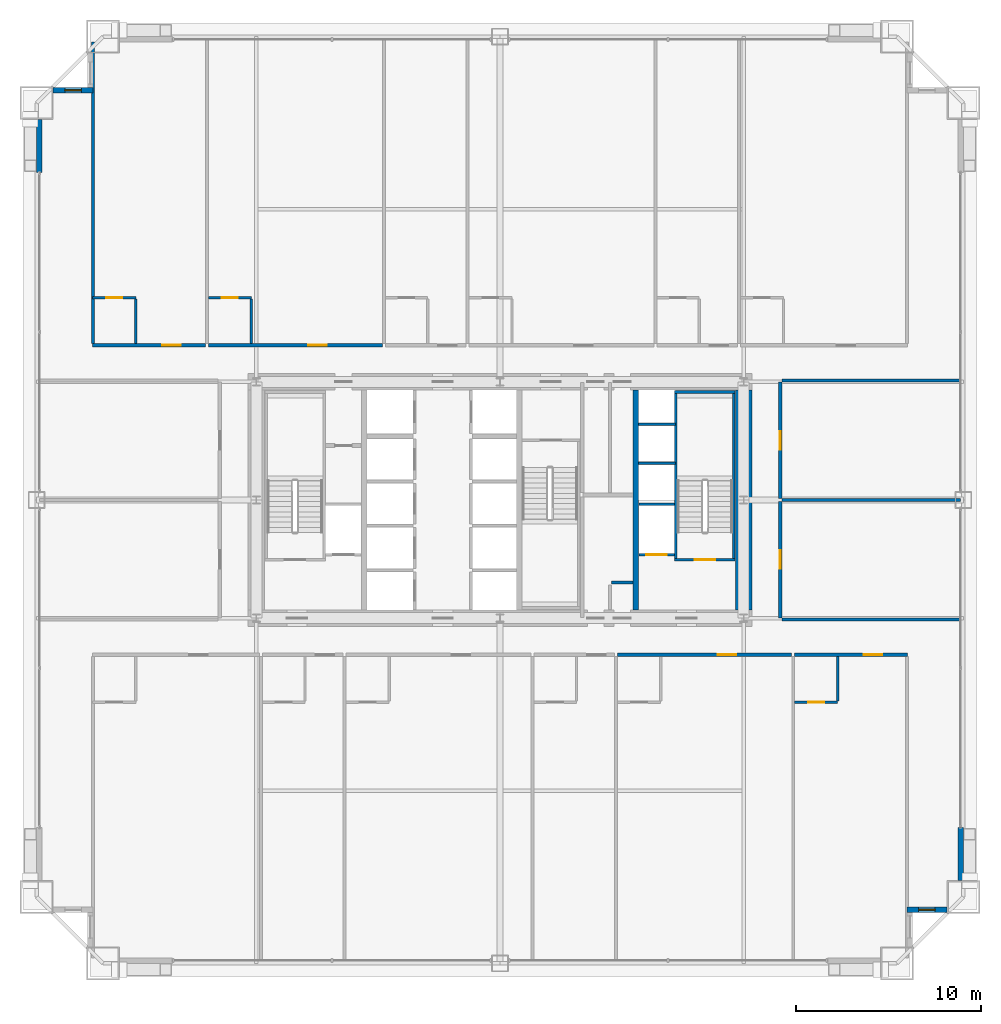
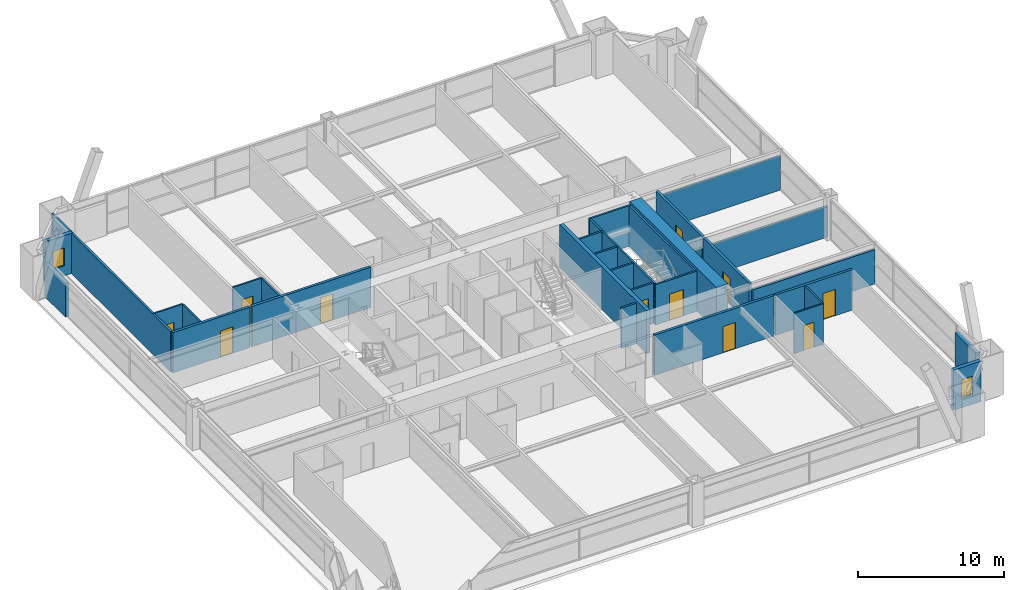
# One storey, part 41 of 43: 31 walls, 11 doors, 2 windows, 13 openings.
"""IFC4 building model written with IfcOpenShell, lengths in metres."""

from ifc_helpers import new_model, si_unit, direction, frame, frame_2d, origin, place, context, subcontext, project, spatial, rectangle, extrude, source, transform, mapped, material, layer, layer_set, type_object, element, fill, save


model = new_model("IFC4")

# Units and contexts
model_context = context("Model", 3, precision=1e-05, world=origin(), true_north=direction((0.0, 1.0)))
body_context = subcontext(model_context, "Body", "Model", "MODEL_VIEW")
ifc_project = project(units=[si_unit("LENGTHUNIT", "METRE"), si_unit("AREAUNIT", "SQUARE_METRE"), si_unit("VOLUMEUNIT", "CUBIC_METRE"), si_unit("PLANEANGLEUNIT", "RADIAN"), si_unit("MASSUNIT", "GRAM", prefix="KILO"), si_unit("THERMODYNAMICTEMPERATUREUNIT", "KELVIN"), si_unit("POWERUNIT", "WATT")], contexts=[model_context])

# Site, building, storey
site_placement = place(None, origin())
site = spatial("IfcSite", under=ifc_project, at=site_placement, CompositionType="ELEMENT")
building_placement = place(site_placement, origin())
building = spatial("IfcBuilding", under=site, at=building_placement, Name="Yuzanri Waterfront Tower", CompositionType="ELEMENT")
storey_placement = place(building_placement, frame((0.0, 0.0, 67.60009765625)))
storey = spatial("IfcBuildingStorey", under=building, at=storey_placement, Name="L17", CompositionType="ELEMENT", Elevation=67.60009765625)

# Wall, opening, door
ifc_material_1 = material(Name="Moisture-Resistant Gypsum Stud Wall", Category="gypsum")
ifc_layer_1 = layer(ifc_material_1, 0.1201171875)
ifc_layer_set_1 = layer_set([ifc_layer_1], Name="Moisture-Resistant Gypsum Stud Wall")
wall_type_1 = type_object("IfcWallType", Name="Bathroom and Kitchen Wet Partition 120", PredefinedType="PARTITIONING", material=ifc_layer_set_1)
wall_1_placement = place(storey_placement, frame((52.962890625, 14.840087890625, 0.0), z_axis=(0.0, 0.0, 1.0), x_axis=(1.0, 0.0, 0.0)))
wall_1 = element("IfcWall", 1, at=wall_1_placement, inside=storey, type_object=wall_type_1, Name="L17 Partition UW-L17-S6-BS", PredefinedType="PARTITIONING", context=body_context, shape_type="SweptSolid", body=[
    extrude(rectangle(XDim=2.330078125, YDim=0.1201171875, at=frame_2d((1.1650390625, 0.0))), origin(), (0.0, 0.0, 1.0), 3.3798828125),
])
opening_1_placement = place(wall_1_placement, frame((0.739990234375, 0.0, 0.0)))
opening_1 = element("IfcOpeningElement", 2, at=opening_1_placement, cuts=wall_1, Name="Opening ID-0850", PredefinedType="OPENING", context=body_context, shape_type="SweptSolid", body=[
    extrude(rectangle(XDim=0.85009765625, YDim=2.10009765625, at=frame_2d((0.425048828125, 1.050048828125))), frame((0.0, 0.074951171875, 0.0), z_axis=(0.0, -1.0, 0.0), x_axis=(1.0, 0.0, 0.0)), (0.0, 0.0, 1.0), 0.14990234375),
])
ifc_material_2 = material(Name="Moisture-Resistant Lacquered Timber", Category="wood")
door_type_1 = type_object("IfcDoorType", Name="En-Suite Bathroom and Kitchen Swing Door 850x2100", OperationType="NOTDEFINED", PredefinedType="DOOR", material=ifc_material_2)
shared_shape_1 = source(origin(), body_context, "Body", "SweptSolid", [
    extrude(rectangle(XDim=0.85009765625, YDim=2.10009765625, at=frame_2d((0.425048828125, 1.050048828125))), frame((0.0, 0.02490234375, 0.0), z_axis=(0.0, -1.0, 0.0), x_axis=(1.0, 0.0, 0.0)), (0.0, 0.0, 1.0), 0.050048828125),
])
door_1_placement = place(opening_1_placement, origin())
door_1 = element("IfcDoor", 3, at=door_1_placement, inside=storey, type_object=door_type_1, Name="L17 Guest En-Suite Door", OperationType="SINGLE_SWING_LEFT", OverallHeight=2.10009765625, OverallWidth=0.85009765625, PredefinedType="DOOR", context=body_context, shape_type="MappedRepresentation", body=[
    mapped(shared_shape_1, transform((0.0, 0.0, 0.0), scale=1.0)),
])
fill(opening_1, door_1)

wall_2_placement = place(storey_placement, frame((14.93994140625, 36.760009765625, 0.0), z_axis=(0.0, 0.0, 1.0), x_axis=(1.0, 0.0, 0.0)))
wall_2 = element("IfcWall", 4, at=wall_2_placement, inside=storey, type_object=wall_type_1, Name="L17 Partition UW-L17-N1-BN", PredefinedType="PARTITIONING", context=body_context, shape_type="SweptSolid", body=[
    extrude(rectangle(XDim=2.330078125, YDim=0.1201171875, at=frame_2d((1.1650390625, 0.0))), origin(), (0.0, 0.0, 1.0), 3.3798828125),
])
opening_2_placement = place(wall_2_placement, frame((0.739990234375, 0.0, 0.0)))
opening_2 = element("IfcOpeningElement", 5, at=opening_2_placement, cuts=wall_2, Name="Opening ID-0850", PredefinedType="OPENING", context=body_context, shape_type="SweptSolid", body=[
    extrude(rectangle(XDim=0.85009765625, YDim=2.10009765625, at=frame_2d((0.425048828125, 1.050048828125))), frame((0.0, 0.074951171875, 0.0), z_axis=(0.0, -1.0, 0.0), x_axis=(1.0, 0.0, 0.0)), (0.0, 0.0, 1.0), 0.14990234375),
])
door_2_placement = place(opening_2_placement, origin())
door_2 = element("IfcDoor", 6, at=door_2_placement, inside=storey, type_object=door_type_1, Name="L17 Guest En-Suite Door", OperationType="SINGLE_SWING_LEFT", OverallHeight=2.10009765625, OverallWidth=0.85009765625, PredefinedType="DOOR", context=body_context, shape_type="MappedRepresentation", body=[
    mapped(shared_shape_1, transform((0.0, 0.0, 0.0), scale=1.0)),
])
fill(opening_2, door_2)

wall_3_placement = place(storey_placement, frame((21.197021484375, 36.760009765625, 0.0), z_axis=(0.0, 0.0, 1.0), x_axis=(1.0, 0.0, 0.0)))
wall_3 = element("IfcWall", 7, at=wall_3_placement, inside=storey, type_object=wall_type_1, Name="L17 Partition UW-L17-N2-BN", PredefinedType="PARTITIONING", context=body_context, shape_type="SweptSolid", body=[
    extrude(rectangle(XDim=2.330078125, YDim=0.1201171875, at=frame_2d((1.1650390625, 0.0))), origin(), (0.0, 0.0, 1.0), 3.3798828125),
])
opening_3_placement = place(wall_3_placement, frame((0.739990234375, 0.0, 0.0)))
opening_3 = element("IfcOpeningElement", 8, at=opening_3_placement, cuts=wall_3, Name="Opening ID-0850", PredefinedType="OPENING", context=body_context, shape_type="SweptSolid", body=[
    extrude(rectangle(XDim=0.85009765625, YDim=2.10009765625, at=frame_2d((0.425048828125, 1.050048828125))), frame((0.0, 0.074951171875, 0.0), z_axis=(0.0, -1.0, 0.0), x_axis=(1.0, 0.0, 0.0)), (0.0, 0.0, 1.0), 0.14990234375),
])
door_3_placement = place(opening_3_placement, origin())
door_3 = element("IfcDoor", 9, at=door_3_placement, inside=storey, type_object=door_type_1, Name="L17 Guest En-Suite Door", OperationType="SINGLE_SWING_LEFT", OverallHeight=2.10009765625, OverallWidth=0.85009765625, PredefinedType="DOOR", context=body_context, shape_type="MappedRepresentation", body=[
    mapped(shared_shape_1, transform((0.0, 0.0, 0.0), scale=1.0)),
])
fill(opening_3, door_3)

# Wall, opening, window
ifc_material_3 = material(Name="Honed Chongqing Dark Basalt Stone", Category="masonry")
ifc_layer_2 = layer(ifc_material_3, 0.300048828125)
ifc_layer_set_2 = layer_set([ifc_layer_2], Name="Honed Chongqing Dark Basalt Stone")
wall_type_2 = type_object("IfcWallType", Name="Bronze Rainscreen Insulated Spandrel Portal Wall 300", PredefinedType="SOLIDWALL", material=ifc_layer_set_2)
wall_4_placement = place(storey_placement, frame((59.050048828125, 3.60009765625, 0.0), z_axis=(0.0, 0.0, 1.0), x_axis=(1.0, 0.0, 0.0)))
wall_4 = element("IfcWall", 10, at=wall_4_placement, inside=storey, type_object=wall_type_2, Name="L17 Notched Corner Masonry Wall SE-X", PredefinedType="SOLIDWALL", context=body_context, shape_type="SweptSolid", body=[
    extrude(rectangle(XDim=2.14990234375, YDim=0.300048828125, at=frame_2d((1.074951171875, 0.0))), origin(), (0.0, 0.0, 1.0), 3.3798828125),
])
opening_4_placement = place(wall_4_placement, frame((0.625, 0.0, 0.85009765625)))
opening_4 = element("IfcOpeningElement", 11, at=opening_4_placement, cuts=wall_4, Name="Opening WN-05", PredefinedType="OPENING", context=body_context, shape_type="SweptSolid", body=[
    extrude(rectangle(XDim=0.89990234375, YDim=1.5, at=frame_2d((0.449951171875, 0.75))), frame((0.0, 0.1650390625, 0.0), z_axis=(0.0, -1.0, 0.0), x_axis=(1.0, 0.0, 0.0)), (0.0, 0.0, 1.0), 0.329833984375),
])
ifc_material_4 = material(Name="Double-Silver Low-E Insulated Glass", Category="glass")
window_type = type_object("IfcWindowType", Name="Anodized Bronze Service and Stairwell Smoke-Vent Window 900x1500", PartitioningType="SINGLE_PANEL", PredefinedType="WINDOW", material=ifc_material_4)
shared_shape_2 = source(origin(), body_context, "Body", "SweptSolid", [
    extrude(rectangle(XDim=0.89990234375, YDim=1.5, at=frame_2d((0.449951171875, 0.75))), frame((0.0, 0.030029296875, 0.0), z_axis=(0.0, -1.0, 0.0), x_axis=(1.0, 0.0, 0.0)), (0.0, 0.0, 1.0), 0.06005859375),
])
window_1_placement = place(opening_4_placement, origin())
window_1 = element("IfcWindow", 12, at=window_1_placement, inside=storey, type_object=window_type, Name="L17 Notched Corner Window SE-X", OverallHeight=1.5, OverallWidth=0.89990234375, PartitioningType="SINGLE_PANEL", PredefinedType="WINDOW", context=body_context, shape_type="MappedRepresentation", body=[
    mapped(shared_shape_2, transform((0.0, 0.0, 0.0), scale=1.0)),
])
fill(opening_4, window_1)

wall_5_placement = place(storey_placement, frame((14.949951171875, 48.0, 0.0), z_axis=(0.0, 0.0, 1.0), x_axis=(-1.0, 0.0, 0.0)))
wall_5 = element("IfcWall", 13, at=wall_5_placement, inside=storey, type_object=wall_type_2, Name="L17 Notched Corner Masonry Wall NW-X", PredefinedType="SOLIDWALL", context=body_context, shape_type="SweptSolid", body=[
    extrude(rectangle(XDim=2.14990234375, YDim=0.300048828125, at=frame_2d((1.074951171875, 0.0))), origin(), (0.0, 0.0, 1.0), 3.3798828125),
])
opening_5_placement = place(wall_5_placement, frame((0.625, 0.0, 0.85009765625)))
opening_5 = element("IfcOpeningElement", 14, at=opening_5_placement, cuts=wall_5, Name="Opening WN-05", PredefinedType="OPENING", context=body_context, shape_type="SweptSolid", body=[
    extrude(rectangle(XDim=0.89990234375, YDim=1.5, at=frame_2d((0.449951171875, 0.75))), frame((0.0, 0.1650390625, 0.0), z_axis=(0.0, -1.0, 0.0), x_axis=(1.0, 0.0, 0.0)), (0.0, 0.0, 1.0), 0.329833984375),
])
window_2_placement = place(opening_5_placement, origin())
window_2 = element("IfcWindow", 15, at=window_2_placement, inside=storey, type_object=window_type, Name="L17 Notched Corner Window NW-X", OverallHeight=1.5, OverallWidth=0.89990234375, PartitioningType="SINGLE_PANEL", PredefinedType="WINDOW", context=body_context, shape_type="MappedRepresentation", body=[
    mapped(shared_shape_2, transform((0.0, 0.0, 0.0), scale=1.0)),
])
fill(opening_5, window_2)

# Wall, opening, door
ifc_material_5 = material(Name="Concrete C40", Category="concrete")
ifc_layer_3 = layer(ifc_material_5, 0.139892578125)
ifc_layer_set_3 = layer_set([ifc_layer_3], Name="Concrete C40")
wall_type_3 = type_object("IfcWallType", Name="Core Stair Liner and Hoistway Shaft Wall 140", PredefinedType="SOLIDWALL", material=ifc_layer_set_3)
wall_6_placement = place(storey_placement, frame((44.52001953125, 22.830078125, 0.0), z_axis=(0.0, 0.0, 1.0), x_axis=(1.0, 0.0, 0.0)))
wall_6 = element("IfcWall", 16, at=wall_6_placement, inside=storey, type_object=wall_type_3, Name="L17 Lift FL-02 Front Shaft Wall", PredefinedType="SOLIDWALL", context=body_context, shape_type="SweptSolid", body=[
    extrude(rectangle(XDim=1.919921875, YDim=0.139892578125, at=frame_2d((0.9599609375, 0.0))), origin(), (0.0, 0.0, 1.0), 3.3798828125),
])
opening_6_placement = place(wall_6_placement, frame((0.409912109375, 0.0, 0.0)))
opening_6 = element("IfcOpeningElement", 17, at=opening_6_placement, cuts=wall_6, Name="Opening LD-FL-02", PredefinedType="OPENING", context=body_context, shape_type="SweptSolid", body=[
    extrude(rectangle(XDim=1.10009765625, YDim=2.199951171875, at=frame_2d((0.550048828125, 1.10009765625))), frame((0.0, 0.0849609375, 0.0), z_axis=(0.0, -1.0, 0.0), x_axis=(1.0, 0.0, 0.0)), (0.0, 0.0, 1.0), 0.169677734375),
])
ifc_material_6 = material(Name="Brushed Bronze and Stainless Steel Cab", Category="steel")
door_type_2 = type_object("IfcDoorType", Name="Center-Parting Bronze Lift Landing Sliding Door 1100x2200", OperationType="NOTDEFINED", PredefinedType="DOOR", material=ifc_material_6)
shared_shape_3 = source(origin(), body_context, "Body", "SweptSolid", [
    extrude(rectangle(XDim=1.10009765625, YDim=2.199951171875, at=frame_2d((0.550048828125, 1.10009765625))), frame((0.0, 0.02490234375, 0.0), z_axis=(0.0, -1.0, 0.0), x_axis=(1.0, 0.0, 0.0)), (0.0, 0.0, 1.0), 0.050048828125),
])
door_4_placement = place(opening_6_placement, origin())
door_4 = element("IfcDoor", 18, at=door_4_placement, inside=storey, type_object=door_type_2, Name="L17 FL-02 Lift Landing Sliding Door", OperationType="SLIDING_TO_RIGHT", OverallHeight=2.199951171875, OverallWidth=1.10009765625, PredefinedType="DOOR", context=body_context, shape_type="MappedRepresentation", body=[
    mapped(shared_shape_3, transform((0.0, 0.0, 0.0), scale=1.0)),
])
fill(opening_6, door_4)

wall_7_placement = place(storey_placement, frame((46.4599609375, 22.570068359375, 0.0), z_axis=(0.0, 0.0, 1.0), x_axis=(1.0, 0.0, 0.0)))
wall_7 = element("IfcWall", 19, at=wall_7_placement, inside=storey, type_object=wall_type_3, Name="L17 Shaft Wall STW-L17-ST-02-S", PredefinedType="SOLIDWALL", context=body_context, shape_type="SweptSolid", body=[
    extrude(rectangle(XDim=3.280029296875, YDim=0.139892578125, at=frame_2d((1.64013671875, 0.0))), origin(), (0.0, 0.0, 1.0), 3.3798828125),
])
opening_7_placement = place(wall_7_placement, frame((1.090087890625, 0.0, 0.0)))
opening_7 = element("IfcOpeningElement", 20, at=opening_7_placement, cuts=wall_7, Name="Opening FD-1100", PredefinedType="OPENING", context=body_context, shape_type="SweptSolid", body=[
    extrude(rectangle(XDim=1.10009765625, YDim=2.199951171875, at=frame_2d((0.550048828125, 1.10009765625))), frame((0.0, 0.0849609375, 0.0), z_axis=(0.0, -1.0, 0.0), x_axis=(1.0, 0.0, 0.0)), (0.0, 0.0, 1.0), 0.169677734375),
])
ifc_material_7 = material(Name="Painted Galvanized Fire Steel", Category="steel")
door_type_3 = type_object("IfcDoorType", Name="Smoke-Proof Stair and Lobby Fire Door 1100x2200", OperationType="NOTDEFINED", PredefinedType="DOOR", material=ifc_material_7)
shared_shape_4 = source(origin(), body_context, "Body", "SweptSolid", [
    extrude(rectangle(XDim=1.10009765625, YDim=2.199951171875, at=frame_2d((0.550048828125, 1.10009765625))), frame((0.0, 0.02490234375, 0.0), z_axis=(0.0, -1.0, 0.0), x_axis=(1.0, 0.0, 0.0)), (0.0, 0.0, 1.0), 0.050048828125),
])
door_5_placement = place(opening_7_placement, origin())
door_5 = element("IfcDoor", 21, at=door_5_placement, inside=storey, type_object=door_type_3, Name="L17 Stair ST-02 Fire Door", OperationType="SINGLE_SWING_LEFT", OverallHeight=2.199951171875, OverallWidth=1.10009765625, PredefinedType="DOOR", context=body_context, shape_type="MappedRepresentation", body=[
    mapped(shared_shape_4, transform((0.0, 0.0, 0.0), scale=1.0)),
])
fill(opening_7, door_5)

ifc_material_8 = material(Name="Autoclaved Aerated Concrete Blockwork", Category="masonry")
ifc_layer_4 = layer(ifc_material_8, 0.199951171875)
ifc_layer_set_4 = layer_set([ifc_layer_4], Name="Autoclaved Aerated Concrete Blockwork")
wall_type_4 = type_object("IfcWallType", Name="Corridor and Unit Party Fire Wall 200", PredefinedType="PARTITIONING", material=ifc_layer_set_4)
wall_8_placement = place(storey_placement, frame((43.3740234375, 17.419921875, 0.0), z_axis=(0.0, 0.0, 1.0), x_axis=(1.0, 0.0, 0.0)))
wall_8 = element("IfcWall", 22, at=wall_8_placement, inside=storey, type_object=wall_type_4, Name="L17 Partition UW-L17-S5-CN", PredefinedType="PARTITIONING", context=body_context, shape_type="SweptSolid", body=[
    extrude(rectangle(XDim=9.428955078125, YDim=0.199951171875, at=frame_2d((4.71435546875, 0.0))), origin(), (0.0, 0.0, 1.0), 3.3798828125),
])
opening_8_placement = place(wall_8_placement, frame((5.4189453125, 0.0, 0.0)))
opening_8 = element("IfcOpeningElement", 23, at=opening_8_placement, cuts=wall_8, Name="Opening FD-1000", PredefinedType="OPENING", context=body_context, shape_type="SweptSolid", body=[
    extrude(rectangle(XDim=1.0, YDim=2.199951171875, at=frame_2d((0.5, 1.10009765625))), frame((0.0, 0.11474609375, 0.0), z_axis=(0.0, -1.0, 0.0), x_axis=(1.0, 0.0, 0.0)), (0.0, 0.0, 1.0), 0.229736328125),
])
ifc_material_9 = material(Name="Engineered Oak Fire-Rated Timber", Category="wood")
door_type_4 = type_object("IfcDoorType", Name="Guestroom and Apartment Entrance Fire Door 1000x2200", OperationType="NOTDEFINED", PredefinedType="DOOR", material=ifc_material_9)
shared_shape_5 = source(origin(), body_context, "Body", "SweptSolid", [
    extrude(rectangle(XDim=1.0, YDim=2.199951171875, at=frame_2d((0.5, 1.10009765625))), frame((0.0, 0.02490234375, 0.0), z_axis=(0.0, -1.0, 0.0), x_axis=(1.0, 0.0, 0.0)), (0.0, 0.0, 1.0), 0.050048828125),
])
door_6_placement = place(opening_8_placement, origin())
door_6 = element("IfcDoor", 24, at=door_6_placement, inside=storey, type_object=door_type_4, Name="L17 Junior Riverview Suite Entrance Door", OperationType="SINGLE_SWING_RIGHT", OverallHeight=2.199951171875, OverallWidth=1.0, PredefinedType="DOOR", context=body_context, shape_type="MappedRepresentation", body=[
    mapped(shared_shape_5, transform((0.0, 0.0, 0.0), scale=1.0)),
])
fill(opening_8, door_6)

wall_9_placement = place(storey_placement, frame((52.962890625, 17.419921875, 0.0), z_axis=(0.0, 0.0, 1.0), x_axis=(1.0, 0.0, 0.0)))
wall_9 = element("IfcWall", 25, at=wall_9_placement, inside=storey, type_object=wall_type_4, Name="L17 Partition UW-L17-S6-CN", PredefinedType="PARTITIONING", context=body_context, shape_type="SweptSolid", body=[
    extrude(rectangle(XDim=6.09716796875, YDim=0.199951171875, at=frame_2d((3.048583984375, 0.0))), origin(), (0.0, 0.0, 1.0), 3.3798828125),
])
opening_9_placement = place(wall_9_placement, frame((3.7529296875, 0.0, 0.0)))
opening_9 = element("IfcOpeningElement", 26, at=opening_9_placement, cuts=wall_9, Name="Opening FD-1000", PredefinedType="OPENING", context=body_context, shape_type="SweptSolid", body=[
    extrude(rectangle(XDim=1.0, YDim=2.199951171875, at=frame_2d((0.5, 1.10009765625))), frame((0.0, 0.11474609375, 0.0), z_axis=(0.0, -1.0, 0.0), x_axis=(1.0, 0.0, 0.0)), (0.0, 0.0, 1.0), 0.229736328125),
])
door_7_placement = place(opening_9_placement, origin())
door_7 = element("IfcDoor", 27, at=door_7_placement, inside=storey, type_object=door_type_4, Name="L17 Junior Riverview Suite Entrance Door", OperationType="SINGLE_SWING_RIGHT", OverallHeight=2.199951171875, OverallWidth=1.0, PredefinedType="DOOR", context=body_context, shape_type="MappedRepresentation", body=[
    mapped(shared_shape_5, transform((0.0, 0.0, 0.0), scale=1.0)),
])
fill(opening_9, door_7)

wall_10_placement = place(storey_placement, frame((14.93994140625, 34.179931640625, 0.0), z_axis=(0.0, 0.0, 1.0), x_axis=(1.0, 0.0, 0.0)))
wall_10 = element("IfcWall", 28, at=wall_10_placement, inside=storey, type_object=wall_type_4, Name="L17 Partition UW-L17-N1-CS", PredefinedType="PARTITIONING", context=body_context, shape_type="SweptSolid", body=[
    extrude(rectangle(XDim=6.09716796875, YDim=0.199951171875, at=frame_2d((3.048583984375, 0.0))), origin(), (0.0, 0.0, 1.0), 3.3798828125),
])
opening_10_placement = place(wall_10_placement, frame((3.75390625, 0.0, 0.0)))
opening_10 = element("IfcOpeningElement", 29, at=opening_10_placement, cuts=wall_10, Name="Opening FD-1000", PredefinedType="OPENING", context=body_context, shape_type="SweptSolid", body=[
    extrude(rectangle(XDim=1.0, YDim=2.199951171875, at=frame_2d((0.5, 1.10009765625))), frame((0.0, 0.11474609375, 0.0), z_axis=(0.0, -1.0, 0.0), x_axis=(1.0, 0.0, 0.0)), (0.0, 0.0, 1.0), 0.229736328125),
])
door_8_placement = place(opening_10_placement, origin())
door_8 = element("IfcDoor", 30, at=door_8_placement, inside=storey, type_object=door_type_4, Name="L17 Superior Cityview Junior Suite Entrance Door", OperationType="SINGLE_SWING_RIGHT", OverallHeight=2.199951171875, OverallWidth=1.0, PredefinedType="DOOR", context=body_context, shape_type="MappedRepresentation", body=[
    mapped(shared_shape_5, transform((0.0, 0.0, 0.0), scale=1.0)),
])
fill(opening_10, door_8)

wall_11_placement = place(storey_placement, frame((21.197021484375, 34.179931640625, 0.0), z_axis=(0.0, 0.0, 1.0), x_axis=(1.0, 0.0, 0.0)))
wall_11 = element("IfcWall", 31, at=wall_11_placement, inside=storey, type_object=wall_type_4, Name="L17 Partition UW-L17-N2-CS", PredefinedType="PARTITIONING", context=body_context, shape_type="SweptSolid", body=[
    extrude(rectangle(XDim=9.428955078125, YDim=0.199951171875, at=frame_2d((4.71435546875, 0.0))), origin(), (0.0, 0.0, 1.0), 3.3798828125),
])
opening_11_placement = place(wall_11_placement, frame((5.419921875, 0.0, 0.0)))
opening_11 = element("IfcOpeningElement", 32, at=opening_11_placement, cuts=wall_11, Name="Opening FD-1000", PredefinedType="OPENING", context=body_context, shape_type="SweptSolid", body=[
    extrude(rectangle(XDim=1.0, YDim=2.199951171875, at=frame_2d((0.5, 1.10009765625))), frame((0.0, 0.11474609375, 0.0), z_axis=(0.0, -1.0, 0.0), x_axis=(1.0, 0.0, 0.0)), (0.0, 0.0, 1.0), 0.229736328125),
])
door_9_placement = place(opening_11_placement, origin())
door_9 = element("IfcDoor", 33, at=door_9_placement, inside=storey, type_object=door_type_4, Name="L17 Superior Cityview Junior Suite Entrance Door", OperationType="SINGLE_SWING_RIGHT", OverallHeight=2.199951171875, OverallWidth=1.0, PredefinedType="DOOR", context=body_context, shape_type="MappedRepresentation", body=[
    mapped(shared_shape_5, transform((0.0, 0.0, 0.0), scale=1.0)),
])
fill(opening_11, door_9)

wall_12_placement = place(storey_placement, frame((52.179931640625, 19.409912109375, 0.0), z_axis=(0.0, 0.0, 1.0), x_axis=(0.0, 1.0, 0.0)))
wall_12 = element("IfcWall", 34, at=wall_12_placement, inside=storey, type_object=wall_type_4, Name="L17 Partition UW-L17-E1-CW", PredefinedType="PARTITIONING", context=body_context, shape_type="SweptSolid", body=[
    extrude(rectangle(XDim=6.31005859375, YDim=0.199951171875, at=frame_2d((3.155029296875, 0.0))), origin(), (0.0, 0.0, 1.0), 3.3798828125),
])
opening_12_placement = place(wall_12_placement, frame((2.655029296875, 0.0, 0.0)))
opening_12 = element("IfcOpeningElement", 35, at=opening_12_placement, cuts=wall_12, Name="Opening FD-1000", PredefinedType="OPENING", context=body_context, shape_type="SweptSolid", body=[
    extrude(rectangle(XDim=1.0, YDim=2.199951171875, at=frame_2d((0.5, 1.10009765625))), frame((0.0, 0.11474609375, 0.0), z_axis=(0.0, -1.0, 0.0), x_axis=(1.0, 0.0, 0.0)), (0.0, 0.0, 1.0), 0.229736328125),
])
door_10_placement = place(opening_12_placement, origin())
door_10 = element("IfcDoor", 36, at=door_10_placement, inside=storey, type_object=door_type_4, Name="L17 Wellness Gym Studio Entrance Door", OperationType="SINGLE_SWING_RIGHT", OverallHeight=2.199951171875, OverallWidth=1.0, PredefinedType="DOOR", context=body_context, shape_type="MappedRepresentation", body=[
    mapped(shared_shape_5, transform((0.0, 0.0, 0.0), scale=1.0)),
])
fill(opening_12, door_10)

wall_13_placement = place(storey_placement, frame((52.179931640625, 25.8798828125, 0.0), z_axis=(0.0, 0.0, 1.0), x_axis=(0.0, 1.0, 0.0)))
wall_13 = element("IfcWall", 37, at=wall_13_placement, inside=storey, type_object=wall_type_4, Name="L17 Partition UW-L17-E2-CW", PredefinedType="PARTITIONING", context=body_context, shape_type="SweptSolid", body=[
    extrude(rectangle(XDim=6.31005859375, YDim=0.199951171875, at=frame_2d((3.155029296875, 0.0))), origin(), (0.0, 0.0, 1.0), 3.3798828125),
])
opening_13_placement = place(wall_13_placement, frame((2.655029296875, 0.0, 0.0)))
opening_13 = element("IfcOpeningElement", 38, at=opening_13_placement, cuts=wall_13, Name="Opening FD-1000", PredefinedType="OPENING", context=body_context, shape_type="SweptSolid", body=[
    extrude(rectangle(XDim=1.0, YDim=2.199951171875, at=frame_2d((0.5, 1.10009765625))), frame((0.0, 0.11474609375, 0.0), z_axis=(0.0, -1.0, 0.0), x_axis=(1.0, 0.0, 0.0)), (0.0, 0.0, 1.0), 0.229736328125),
])
door_11_placement = place(opening_13_placement, origin())
door_11 = element("IfcDoor", 39, at=door_11_placement, inside=storey, type_object=door_type_4, Name="L17 Pilates Gym Studio Entrance Door", OperationType="SINGLE_SWING_LEFT", OverallHeight=2.199951171875, OverallWidth=1.0, PredefinedType="DOOR", context=body_context, shape_type="MappedRepresentation", body=[
    mapped(shared_shape_5, transform((0.0, 0.0, 0.0), scale=1.0)),
])
fill(opening_13, door_11)

# Walls
ifc_material_10 = material(Name="Concrete C60", Category="concrete")
ifc_layer_5 = layer(ifc_material_10, 0.89990234375)
ifc_layer_set_5 = layer_set([ifc_layer_5], Name="Concrete C60")
wall_type_5 = type_object("IfcWallType", Name="Concrete C60 Lower Zone Core Shear Wall 900", PredefinedType="SHEAR", material=ifc_layer_set_5)
shared_shape_6 = source(origin(), body_context, "Body", "SweptSolid", [
    extrude(rectangle(XDim=11.89990234375, YDim=0.89990234375, at=frame_2d((5.949951171875, 0.0))), origin(), (0.0, 0.0, 1.0), 3.599853515625),
])
wall_14_placement = place(storey_placement, frame((50.199951171875, 19.85009765625, 0.0), z_axis=(0.0, 0.0, 1.0), x_axis=(0.0, 1.0, 0.0)))
element("IfcWall", 40, at=wall_14_placement, inside=storey, type_object=wall_type_5, Name="L17 Core East Shear Wall", PredefinedType="SHEAR", context=body_context, shape_type="MappedRepresentation", body=[
    mapped(shared_shape_6, transform((0.0, 0.0, 0.0), scale=1.0)),
])
ifc_material_11 = material(Name="Concrete C50", Category="concrete")
ifc_layer_6 = layer(ifc_material_11, 0.300048828125)
ifc_layer_set_6 = layer_set([ifc_layer_6], Name="Concrete C50")
wall_type_6 = type_object("IfcWallType", Name="Concrete C50 Internal Core Shaft Structural Wall 300", PredefinedType="SOLIDWALL", material=ifc_layer_set_6)
shared_shape_7 = source(origin(), body_context, "Body", "SweptSolid", [
    extrude(rectangle(XDim=11.89990234375, YDim=0.300048828125, at=frame_2d((5.949951171875, 0.0))), origin(), (0.0, 0.0, 1.0), 3.599853515625),
])
wall_15_placement = place(storey_placement, frame((44.35009765625, 19.85009765625, 0.0), z_axis=(0.0, 0.0, 1.0), x_axis=(0.0, 1.0, 0.0)))
element("IfcWall", 41, at=wall_15_placement, inside=storey, type_object=wall_type_6, Name="L17 Core Internal Structural Web Wall 3", PredefinedType="SOLIDWALL", context=body_context, shape_type="MappedRepresentation", body=[
    mapped(shared_shape_7, transform((0.0, 0.0, 0.0), scale=1.0)),
])
shared_shape_8 = source(origin(), body_context, "Body", "SweptSolid", [
    extrude(rectangle(XDim=2.85009765625, YDim=0.300048828125, at=frame_2d((1.425048828125, 0.0))), origin(), (0.0, 0.0, 1.0), 2.77490234375),
])
wall_16_placement = place(storey_placement, frame((61.949951171875, 5.199951171875, 0.0), z_axis=(0.0, 0.0, 1.0), x_axis=(0.0, 1.0, 0.0)))
element("IfcWall", 42, at=wall_16_placement, inside=storey, type_object=wall_type_2, Name="L17 E Left Braced Masonry Shoulder", PredefinedType="SOLIDWALL", context=body_context, shape_type="MappedRepresentation", body=[
    mapped(shared_shape_8, transform((0.0, 0.0, 0.0), scale=1.0)),
])
shared_shape_9 = source(origin(), body_context, "Body", "SweptSolid", [
    extrude(rectangle(XDim=2.849853515625, YDim=0.300048828125, at=frame_2d((1.4248046875, 0.0))), origin(), (0.0, 0.0, 1.0), 2.77490234375),
])
wall_17_placement = place(storey_placement, frame((12.050048828125, 43.550048828125, 0.0), z_axis=(0.0, 0.0, 1.0), x_axis=(0.0, 1.0, 0.0)))
element("IfcWall", 43, at=wall_17_placement, inside=storey, type_object=wall_type_2, Name="L17 W Right Braced Masonry Shoulder", PredefinedType="SOLIDWALL", context=body_context, shape_type="MappedRepresentation", body=[
    mapped(shared_shape_9, transform((0.0, 0.0, 0.0), scale=1.0)),
])
shared_shape_10 = source(origin(), body_context, "Body", "SweptSolid", [
    extrude(rectangle(XDim=1.919921875, YDim=0.139892578125, at=frame_2d((0.9599609375, 0.0))), origin(), (0.0, 0.0, 1.0), 3.3798828125),
])
wall_18_placement = place(storey_placement, frame((44.52001953125, 25.570068359375, 0.0), z_axis=(0.0, 0.0, 1.0), x_axis=(1.0, 0.0, 0.0)))
element("IfcWall", 44, at=wall_18_placement, inside=storey, type_object=wall_type_3, Name="L17 Lift FL-02 Back Shaft Wall", PredefinedType="SOLIDWALL", context=body_context, shape_type="MappedRepresentation", body=[
    mapped(shared_shape_10, transform((0.0, 0.0, 0.0), scale=1.0)),
])
shared_shape_11 = source(origin(), body_context, "Body", "SweptSolid", [
    extrude(rectangle(XDim=2.0, YDim=0.139892578125, at=frame_2d((1.0, 0.0))), origin(), (0.0, 0.0, 1.0), 3.3798828125),
])
for number, where, z_axis, x_axis, name in (
    (45, (44.5, 27.800048828125, 0.0), (0.0, 0.0, 1.0), (1.0, 0.0, 0.0), "L17 Lift PL-09 Divider Wall"),
    (46, (44.5, 29.89990234375, 0.0), (0.0, 0.0, 1.0), (1.0, 0.0, 0.0), "L17 Lift PL-10 Divider Wall"),
):
    element("IfcWall", number, at=place(storey_placement, frame(where, z_axis=z_axis, x_axis=x_axis)), inside=storey, type_object=wall_type_3, Name=name, PredefinedType="SOLIDWALL", context=body_context, shape_type="MappedRepresentation", body=[
        mapped(shared_shape_11, transform((0.0, 0.0, 0.0), scale=1.0)),
    ])
shared_shape_12 = source(origin(), body_context, "Body", "SweptSolid", [
    extrude(rectangle(XDim=3.280029296875, YDim=0.139892578125, at=frame_2d((1.64013671875, 0.0))), origin(), (0.0, 0.0, 1.0), 3.3798828125),
])
wall_19_placement = place(storey_placement, frame((46.4599609375, 31.64990234375, 0.0), z_axis=(0.0, 0.0, 1.0), x_axis=(1.0, 0.0, 0.0)))
element("IfcWall", 47, at=wall_19_placement, inside=storey, type_object=wall_type_3, Name="L17 Stair ST-02 North Shaft Wall", PredefinedType="SOLIDWALL", context=body_context, shape_type="MappedRepresentation", body=[
    mapped(shared_shape_12, transform((0.0, 0.0, 0.0), scale=1.0)),
])
shared_shape_13 = source(origin(), body_context, "Body", "SweptSolid", [
    extrude(rectangle(XDim=8.940185546875, YDim=0.139892578125, at=frame_2d((4.47021484375, 0.0))), origin(), (0.0, 0.0, 1.0), 3.3798828125),
])
for number, where, z_axis, x_axis, name in (
    (48, (46.530029296875, 22.639892578125, 0.0), (0.0, 0.0, 1.0), (0.0, 1.0, 0.0), "L17 Stair ST-02 West Shaft Wall"),
    (49, (49.669921875, 22.639892578125, 0.0), (0.0, 0.0, 1.0), (0.0, 1.0, 0.0), "L17 Stair ST-02 East Shaft Wall"),
):
    element("IfcWall", number, at=place(storey_placement, frame(where, z_axis=z_axis, x_axis=x_axis)), inside=storey, type_object=wall_type_3, Name=name, PredefinedType="SOLIDWALL", context=body_context, shape_type="MappedRepresentation", body=[
        mapped(shared_shape_13, transform((0.0, 0.0, 0.0), scale=1.0)),
    ])
ifc_material_12 = material(Name="Gypsum Fireboard Acoustic Stud Wall", Category="gypsum")
ifc_layer_7 = layer(ifc_material_12, 0.159912109375)
ifc_layer_set_7 = layer_set([ifc_layer_7], Name="Gypsum Fireboard Acoustic Stud Wall")
wall_type_7 = type_object("IfcWallType", Name="Acoustic Suite Demising Partition 160", PredefinedType="PARTITIONING", material=ifc_layer_set_7)
shared_shape_14 = source(origin(), body_context, "Body", "SweptSolid", [
    extrude(rectangle(XDim=1.169921875, YDim=0.159912109375, at=frame_2d((0.5849609375, 0.0))), origin(), (0.0, 0.0, 1.0), 3.3798828125),
])
wall_20_placement = place(storey_placement, frame((43.030029296875, 21.320068359375, 0.0), z_axis=(0.0, 0.0, 1.0), x_axis=(1.0, 0.0, 0.0)))
element("IfcWall", 50, at=wall_20_placement, inside=storey, type_object=wall_type_7, Name="L17 East Wet Riser North Wall", PredefinedType="PARTITIONING", context=body_context, shape_type="MappedRepresentation", body=[
    mapped(shared_shape_14, transform((0.0, 0.0, 0.0), scale=1.0)),
])
shared_shape_15 = source(origin(), body_context, "Body", "SweptSolid", [
    extrude(rectangle(XDim=2.420166015625, YDim=0.1201171875, at=frame_2d((1.2099609375, 0.0))), origin(), (0.0, 0.0, 1.0), 3.3798828125),
])
wall_21_placement = place(storey_placement, frame((55.29296875, 14.89990234375, 0.0), z_axis=(0.0, 0.0, 1.0), x_axis=(0.0, 1.0, 0.0)))
element("IfcWall", 51, at=wall_21_placement, inside=storey, type_object=wall_type_1, Name="L17-S6 En-Suite Side Wall", PredefinedType="PARTITIONING", context=body_context, shape_type="MappedRepresentation", body=[
    mapped(shared_shape_15, transform((0.0, 0.0, 0.0), scale=1.0)),
])
shared_shape_16 = source(origin(), body_context, "Body", "SweptSolid", [
    extrude(rectangle(XDim=16.320068359375, YDim=0.159912109375, at=frame_2d((8.16015625, 0.0))), origin(), (0.0, 0.0, 1.0), 3.3798828125),
])
wall_22_placement = place(storey_placement, frame((14.949951171875, 34.280029296875, 0.0), z_axis=(0.0, 0.0, 1.0), x_axis=(0.0, 1.0, 0.0)))
element("IfcWall", 52, at=wall_22_placement, inside=storey, type_object=wall_type_7, Name="L17 North Band West End Wall", PredefinedType="PARTITIONING", context=body_context, shape_type="MappedRepresentation", body=[
    mapped(shared_shape_16, transform((0.0, 0.0, 0.0), scale=1.0)),
])
shared_shape_17 = source(origin(), body_context, "Body", "SweptSolid", [
    extrude(rectangle(XDim=2.419921875, YDim=0.1201171875, at=frame_2d((1.2099609375, 0.0))), origin(), (0.0, 0.0, 1.0), 3.3798828125),
])
for number, where, z_axis, x_axis, name in (
    (53, (17.27001953125, 34.280029296875, 0.0), (0.0, 0.0, 1.0), (0.0, 1.0, 0.0), "L17-N1 En-Suite Side Wall"),
    (54, (23.527099609375, 34.280029296875, 0.0), (0.0, 0.0, 1.0), (0.0, 1.0, 0.0), "L17-N2 En-Suite Side Wall"),
):
    element("IfcWall", number, at=place(storey_placement, frame(where, z_axis=z_axis, x_axis=x_axis)), inside=storey, type_object=wall_type_1, Name=name, PredefinedType="PARTITIONING", context=body_context, shape_type="MappedRepresentation", body=[
        mapped(shared_shape_17, transform((0.0, 0.0, 0.0), scale=1.0)),
    ])
shared_shape_18 = source(origin(), body_context, "Body", "SweptSolid", [
    extrude(rectangle(XDim=9.669921875, YDim=0.159912109375, at=frame_2d((4.8349609375, 0.0))), origin(), (0.0, 0.0, 1.0), 2.574951171875),
])
wall_23_placement = place(storey_placement, frame((52.280029296875, 25.800048828125, 0.0), z_axis=(0.0, 0.0, 1.0), x_axis=(1.0, 0.0, 0.0)))
element("IfcWall", 55, at=wall_23_placement, inside=storey, type_object=wall_type_7, Name="L17-E1 Wing Party Wall", PredefinedType="PARTITIONING", context=body_context, shape_type="MappedRepresentation", body=[
    mapped(shared_shape_18, transform((0.0, 0.0, 0.0), scale=1.0)),
])
shared_shape_19 = source(origin(), body_context, "Body", "SweptSolid", [
    extrude(rectangle(XDim=9.669921875, YDim=0.159912109375, at=frame_2d((4.8349609375, 0.0))), origin(), (0.0, 0.0, 1.0), 2.875),
])
for number, where, z_axis, x_axis, name in (
    (56, (52.280029296875, 19.330078125, 0.0), (0.0, 0.0, 1.0), (1.0, 0.0, 0.0), "L17-E1 Wing South End Wall"),
    (57, (52.280029296875, 32.27001953125, 0.0), (0.0, 0.0, 1.0), (1.0, 0.0, 0.0), "L17-E2 Wing North End Wall"),
):
    element("IfcWall", number, at=place(storey_placement, frame(where, z_axis=z_axis, x_axis=x_axis)), inside=storey, type_object=wall_type_7, Name=name, PredefinedType="PARTITIONING", context=body_context, shape_type="MappedRepresentation", body=[
        mapped(shared_shape_19, transform((0.0, 0.0, 0.0), scale=1.0)),
    ])

save(model, "model.ifc")
